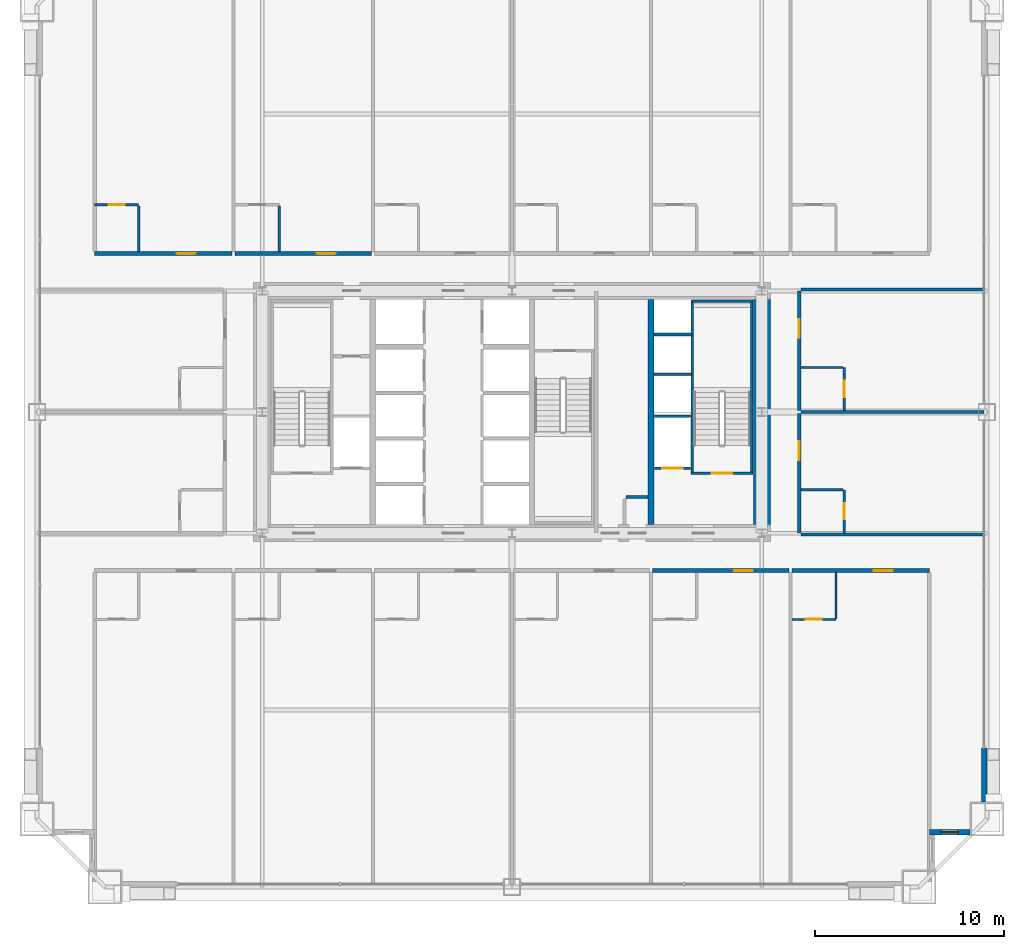
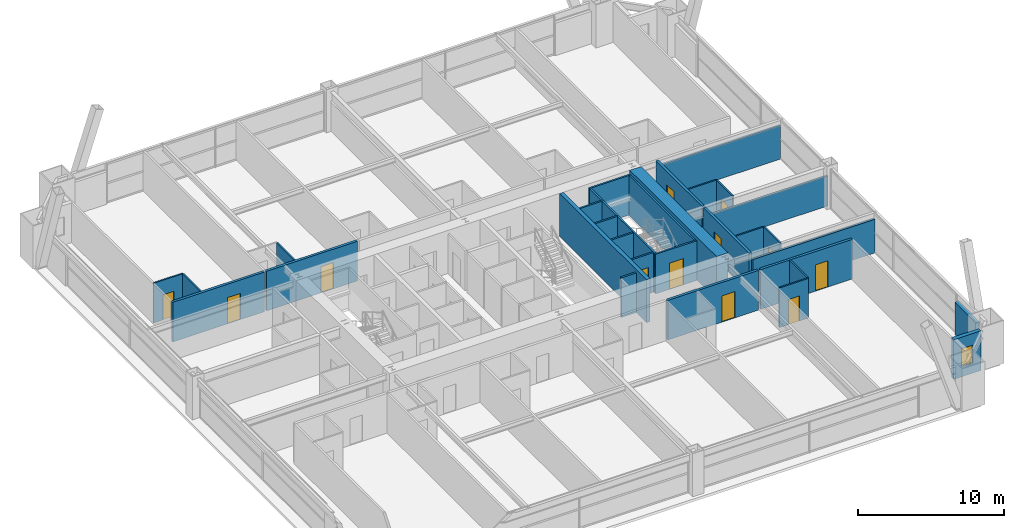
# One storey, part 41 of 43: 31 walls, 12 doors, 1 window, 13 openings.
"""IFC4 building model written with IfcOpenShell, lengths in metres."""

from ifc_helpers import new_model, si_unit, direction, frame, frame_2d, origin, place, context, subcontext, project, spatial, rectangle, extrude, source, transform, mapped, material, layer, layer_set, type_object, element, fill, save


model = new_model("IFC4")

# Units and contexts
model_context = context("Model", 3, precision=1e-05, world=origin(), true_north=direction((0.0, 1.0)))
body_context = subcontext(model_context, "Body", "Model", "MODEL_VIEW")
ifc_project = project(units=[si_unit("LENGTHUNIT", "METRE"), si_unit("AREAUNIT", "SQUARE_METRE"), si_unit("VOLUMEUNIT", "CUBIC_METRE"), si_unit("PLANEANGLEUNIT", "RADIAN"), si_unit("MASSUNIT", "GRAM", prefix="KILO"), si_unit("THERMODYNAMICTEMPERATUREUNIT", "KELVIN"), si_unit("POWERUNIT", "WATT")], contexts=[model_context])

# Site, building, storey
site_placement = place(None, origin())
site = spatial("IfcSite", under=ifc_project, at=site_placement, CompositionType="ELEMENT")
building_placement = place(site_placement, origin())
building = spatial("IfcBuilding", under=site, at=building_placement, Name="Yuzanri Waterfront Tower", CompositionType="ELEMENT")
storey_placement = place(building_placement, frame((0.0, 0.0, 37.800048828125)))
storey = spatial("IfcBuildingStorey", under=building, at=storey_placement, Name="L09", CompositionType="ELEMENT", Elevation=37.800048828125)

# Wall, opening, door
ifc_material_1 = material(Name="Moisture-Resistant Gypsum Stud Wall", Category="gypsum")
ifc_layer_1 = layer(ifc_material_1, 0.1201171875)
ifc_layer_set_1 = layer_set([ifc_layer_1], Name="Moisture-Resistant Gypsum Stud Wall")
wall_type_1 = type_object("IfcWallType", Name="Bathroom and Kitchen Wet Partition 120", PredefinedType="PARTITIONING", material=ifc_layer_set_1)
wall_1_placement = place(storey_placement, frame((51.787109375, 14.840087890625, 0.0), z_axis=(0.0, 0.0, 1.0), x_axis=(1.0, 0.0, 0.0)))
wall_1 = element("IfcWall", 1, at=wall_1_placement, inside=storey, type_object=wall_type_1, Name="L09 Partition UW-L09-S6-BS", PredefinedType="PARTITIONING", context=body_context, shape_type="SweptSolid", body=[
    extrude(rectangle(XDim=2.329833984375, YDim=0.1201171875, at=frame_2d((1.1650390625, 0.0))), origin(), (0.0, 0.0, 1.0), 3.320068359375),
])
opening_1_placement = place(wall_1_placement, frame((0.739990234375, 0.0, 0.0)))
opening_1 = element("IfcOpeningElement", 2, at=opening_1_placement, cuts=wall_1, Name="Opening ID-0850", PredefinedType="OPENING", context=body_context, shape_type="SweptSolid", body=[
    extrude(rectangle(XDim=0.85009765625, YDim=2.10009765625, at=frame_2d((0.425048828125, 1.050048828125))), frame((0.0, 0.074951171875, 0.0), z_axis=(0.0, -1.0, 0.0), x_axis=(1.0, 0.0, 0.0)), (0.0, 0.0, 1.0), 0.14990234375),
])
ifc_material_2 = material(Name="Moisture-Resistant Lacquered Timber", Category="wood")
door_type_1 = type_object("IfcDoorType", Name="En-Suite Bathroom and Kitchen Swing Door 850x2100", OperationType="NOTDEFINED", PredefinedType="DOOR", material=ifc_material_2)
shared_shape_1 = source(origin(), body_context, "Body", "SweptSolid", [
    extrude(rectangle(XDim=0.85009765625, YDim=2.10009765625, at=frame_2d((0.425048828125, 1.050048828125))), frame((0.0, 0.02490234375, 0.0), z_axis=(0.0, -1.0, 0.0), x_axis=(1.0, 0.0, 0.0)), (0.0, 0.0, 1.0), 0.050048828125),
])
door_1_placement = place(opening_1_placement, origin())
door_1 = element("IfcDoor", 3, at=door_1_placement, inside=storey, type_object=door_type_1, Name="L09 Guest En-Suite Door", OperationType="SINGLE_SWING_LEFT", OverallHeight=2.10009765625, OverallWidth=0.85009765625, PredefinedType="DOOR", context=body_context, shape_type="MappedRepresentation", body=[
    mapped(shared_shape_1, transform((0.0, 0.0, 0.0), scale=1.0)),
])
fill(opening_1, door_1)

wall_2_placement = place(storey_placement, frame((14.93994140625, 36.760009765625, 0.0), z_axis=(0.0, 0.0, 1.0), x_axis=(1.0, 0.0, 0.0)))
wall_2 = element("IfcWall", 4, at=wall_2_placement, inside=storey, type_object=wall_type_1, Name="L09 Partition UW-L09-N1-BN", PredefinedType="PARTITIONING", context=body_context, shape_type="SweptSolid", body=[
    extrude(rectangle(XDim=2.330078125, YDim=0.1201171875, at=frame_2d((1.1650390625, 0.0))), origin(), (0.0, 0.0, 1.0), 3.320068359375),
])
opening_2_placement = place(wall_2_placement, frame((0.739990234375, 0.0, 0.0)))
opening_2 = element("IfcOpeningElement", 5, at=opening_2_placement, cuts=wall_2, Name="Opening ID-0850", PredefinedType="OPENING", context=body_context, shape_type="SweptSolid", body=[
    extrude(rectangle(XDim=0.85009765625, YDim=2.10009765625, at=frame_2d((0.425048828125, 1.050048828125))), frame((0.0, 0.074951171875, 0.0), z_axis=(0.0, -1.0, 0.0), x_axis=(1.0, 0.0, 0.0)), (0.0, 0.0, 1.0), 0.14990234375),
])
door_2_placement = place(opening_2_placement, origin())
door_2 = element("IfcDoor", 6, at=door_2_placement, inside=storey, type_object=door_type_1, Name="L09 Guest En-Suite Door", OperationType="SINGLE_SWING_LEFT", OverallHeight=2.10009765625, OverallWidth=0.85009765625, PredefinedType="DOOR", context=body_context, shape_type="MappedRepresentation", body=[
    mapped(shared_shape_1, transform((0.0, 0.0, 0.0), scale=1.0)),
])
fill(opening_2, door_2)

wall_3_placement = place(storey_placement, frame((54.56005859375, 19.409912109375, 0.0), z_axis=(0.0, 0.0, 1.0), x_axis=(0.0, 1.0, 0.0)))
wall_3 = element("IfcWall", 7, at=wall_3_placement, inside=storey, type_object=wall_type_1, Name="L09 Partition UW-L09-E1-BE2", PredefinedType="PARTITIONING", context=body_context, shape_type="SweptSolid", body=[
    extrude(rectangle(XDim=2.280029296875, YDim=0.1201171875, at=frame_2d((1.14013671875, 0.0))), origin(), (0.0, 0.0, 1.0), 3.320068359375),
])
opening_3_placement = place(wall_3_placement, frame((0.715087890625, 0.0, 0.0)))
opening_3 = element("IfcOpeningElement", 8, at=opening_3_placement, cuts=wall_3, Name="Opening ID-0850", PredefinedType="OPENING", context=body_context, shape_type="SweptSolid", body=[
    extrude(rectangle(XDim=0.85009765625, YDim=2.10009765625, at=frame_2d((0.425048828125, 1.050048828125))), frame((0.0, 0.074951171875, 0.0), z_axis=(0.0, -1.0, 0.0), x_axis=(1.0, 0.0, 0.0)), (0.0, 0.0, 1.0), 0.14990234375),
])
door_3_placement = place(opening_3_placement, origin())
door_3 = element("IfcDoor", 9, at=door_3_placement, inside=storey, type_object=door_type_1, Name="L09 Guest En-Suite Door", OperationType="SINGLE_SWING_LEFT", OverallHeight=2.10009765625, OverallWidth=0.85009765625, PredefinedType="DOOR", context=body_context, shape_type="MappedRepresentation", body=[
    mapped(shared_shape_1, transform((0.0, 0.0, 0.0), scale=1.0)),
])
fill(opening_3, door_3)

wall_4_placement = place(storey_placement, frame((54.56005859375, 25.8798828125, 0.0), z_axis=(0.0, 0.0, 1.0), x_axis=(0.0, 1.0, 0.0)))
wall_4 = element("IfcWall", 10, at=wall_4_placement, inside=storey, type_object=wall_type_1, Name="L09 Partition UW-L09-E2-BE2", PredefinedType="PARTITIONING", context=body_context, shape_type="SweptSolid", body=[
    extrude(rectangle(XDim=2.280029296875, YDim=0.1201171875, at=frame_2d((1.14013671875, 0.0))), origin(), (0.0, 0.0, 1.0), 3.320068359375),
])
opening_4_placement = place(wall_4_placement, frame((0.715087890625, 0.0, 0.0)))
opening_4 = element("IfcOpeningElement", 11, at=opening_4_placement, cuts=wall_4, Name="Opening ID-0850", PredefinedType="OPENING", context=body_context, shape_type="SweptSolid", body=[
    extrude(rectangle(XDim=0.85009765625, YDim=2.10009765625, at=frame_2d((0.425048828125, 1.050048828125))), frame((0.0, 0.074951171875, 0.0), z_axis=(0.0, -1.0, 0.0), x_axis=(1.0, 0.0, 0.0)), (0.0, 0.0, 1.0), 0.14990234375),
])
door_4_placement = place(opening_4_placement, origin())
door_4 = element("IfcDoor", 12, at=door_4_placement, inside=storey, type_object=door_type_1, Name="L09 Guest En-Suite Door", OperationType="SINGLE_SWING_LEFT", OverallHeight=2.10009765625, OverallWidth=0.85009765625, PredefinedType="DOOR", context=body_context, shape_type="MappedRepresentation", body=[
    mapped(shared_shape_1, transform((0.0, 0.0, 0.0), scale=1.0)),
])
fill(opening_4, door_4)

# Wall, opening, window
ifc_material_3 = material(Name="Honed Chongqing Dark Basalt Stone", Category="masonry")
ifc_layer_2 = layer(ifc_material_3, 0.300048828125)
ifc_layer_set_2 = layer_set([ifc_layer_2], Name="Honed Chongqing Dark Basalt Stone")
wall_type_2 = type_object("IfcWallType", Name="Bronze Rainscreen Insulated Spandrel Portal Wall 300", PredefinedType="SOLIDWALL", material=ifc_layer_set_2)
wall_5_placement = place(storey_placement, frame((59.050048828125, 3.60009765625, 0.0), z_axis=(0.0, 0.0, 1.0), x_axis=(1.0, 0.0, 0.0)))
wall_5 = element("IfcWall", 13, at=wall_5_placement, inside=storey, type_object=wall_type_2, Name="L09 Notched Corner Masonry Wall SE-X", PredefinedType="SOLIDWALL", context=body_context, shape_type="SweptSolid", body=[
    extrude(rectangle(XDim=2.14990234375, YDim=0.300048828125, at=frame_2d((1.074951171875, 0.0))), origin(), (0.0, 0.0, 1.0), 3.320068359375),
])
opening_5_placement = place(wall_5_placement, frame((0.625, 0.0, 0.85009765625)))
opening_5 = element("IfcOpeningElement", 14, at=opening_5_placement, cuts=wall_5, Name="Opening WN-05", PredefinedType="OPENING", context=body_context, shape_type="SweptSolid", body=[
    extrude(rectangle(XDim=0.89990234375, YDim=1.5, at=frame_2d((0.449951171875, 0.75))), frame((0.0, 0.1650390625, 0.0), z_axis=(0.0, -1.0, 0.0), x_axis=(1.0, 0.0, 0.0)), (0.0, 0.0, 1.0), 0.329833984375),
])
ifc_material_4 = material(Name="Double-Silver Low-E Insulated Glass", Category="glass")
window_type = type_object("IfcWindowType", Name="Anodized Bronze Service and Stairwell Smoke-Vent Window 900x1500", PartitioningType="SINGLE_PANEL", PredefinedType="WINDOW", material=ifc_material_4)
shared_shape_2 = source(origin(), body_context, "Body", "SweptSolid", [
    extrude(rectangle(XDim=0.89990234375, YDim=1.5, at=frame_2d((0.449951171875, 0.75))), frame((0.0, 0.030029296875, 0.0), z_axis=(0.0, -1.0, 0.0), x_axis=(1.0, 0.0, 0.0)), (0.0, 0.0, 1.0), 0.06005859375),
])
window_placement = place(opening_5_placement, origin())
window = element("IfcWindow", 15, at=window_placement, inside=storey, type_object=window_type, Name="L09 Notched Corner Window SE-X", OverallHeight=1.5, OverallWidth=0.89990234375, PartitioningType="SINGLE_PANEL", PredefinedType="WINDOW", context=body_context, shape_type="MappedRepresentation", body=[
    mapped(shared_shape_2, transform((0.0, 0.0, 0.0), scale=1.0)),
])
fill(opening_5, window)

# Wall, opening, door
ifc_material_5 = material(Name="Concrete C40", Category="concrete")
ifc_layer_3 = layer(ifc_material_5, 0.139892578125)
ifc_layer_set_3 = layer_set([ifc_layer_3], Name="Concrete C40")
wall_type_3 = type_object("IfcWallType", Name="Core Stair Liner and Hoistway Shaft Wall 140", PredefinedType="SOLIDWALL", material=ifc_layer_set_3)
wall_6_placement = place(storey_placement, frame((44.52001953125, 22.830078125, 0.0), z_axis=(0.0, 0.0, 1.0), x_axis=(1.0, 0.0, 0.0)))
wall_6 = element("IfcWall", 16, at=wall_6_placement, inside=storey, type_object=wall_type_3, Name="L09 Lift FL-02 Front Shaft Wall", PredefinedType="SOLIDWALL", context=body_context, shape_type="SweptSolid", body=[
    extrude(rectangle(XDim=1.919921875, YDim=0.139892578125, at=frame_2d((0.9599609375, 0.0))), origin(), (0.0, 0.0, 1.0), 3.320068359375),
])
opening_6_placement = place(wall_6_placement, frame((0.409912109375, 0.0, 0.0)))
opening_6 = element("IfcOpeningElement", 17, at=opening_6_placement, cuts=wall_6, Name="Opening LD-FL-02", PredefinedType="OPENING", context=body_context, shape_type="SweptSolid", body=[
    extrude(rectangle(XDim=1.10009765625, YDim=2.199951171875, at=frame_2d((0.550048828125, 1.10009765625))), frame((0.0, 0.0849609375, 0.0), z_axis=(0.0, -1.0, 0.0), x_axis=(1.0, 0.0, 0.0)), (0.0, 0.0, 1.0), 0.169677734375),
])
ifc_material_6 = material(Name="Brushed Bronze and Stainless Steel Cab", Category="steel")
door_type_2 = type_object("IfcDoorType", Name="Center-Parting Bronze Lift Landing Sliding Door 1100x2200", OperationType="NOTDEFINED", PredefinedType="DOOR", material=ifc_material_6)
shared_shape_3 = source(origin(), body_context, "Body", "SweptSolid", [
    extrude(rectangle(XDim=1.10009765625, YDim=2.199951171875, at=frame_2d((0.550048828125, 1.10009765625))), frame((0.0, 0.02490234375, 0.0), z_axis=(0.0, -1.0, 0.0), x_axis=(1.0, 0.0, 0.0)), (0.0, 0.0, 1.0), 0.050048828125),
])
door_5_placement = place(opening_6_placement, origin())
door_5 = element("IfcDoor", 18, at=door_5_placement, inside=storey, type_object=door_type_2, Name="L09 FL-02 Lift Landing Sliding Door", OperationType="SLIDING_TO_RIGHT", OverallHeight=2.199951171875, OverallWidth=1.10009765625, PredefinedType="DOOR", context=body_context, shape_type="MappedRepresentation", body=[
    mapped(shared_shape_3, transform((0.0, 0.0, 0.0), scale=1.0)),
])
fill(opening_6, door_5)

wall_7_placement = place(storey_placement, frame((46.4599609375, 22.570068359375, 0.0), z_axis=(0.0, 0.0, 1.0), x_axis=(1.0, 0.0, 0.0)))
wall_7 = element("IfcWall", 19, at=wall_7_placement, inside=storey, type_object=wall_type_3, Name="L09 Shaft Wall STW-L09-ST-02-S", PredefinedType="SOLIDWALL", context=body_context, shape_type="SweptSolid", body=[
    extrude(rectangle(XDim=3.280029296875, YDim=0.139892578125, at=frame_2d((1.64013671875, 0.0))), origin(), (0.0, 0.0, 1.0), 3.320068359375),
])
opening_7_placement = place(wall_7_placement, frame((1.090087890625, 0.0, 0.0)))
opening_7 = element("IfcOpeningElement", 20, at=opening_7_placement, cuts=wall_7, Name="Opening FD-1100", PredefinedType="OPENING", context=body_context, shape_type="SweptSolid", body=[
    extrude(rectangle(XDim=1.10009765625, YDim=2.199951171875, at=frame_2d((0.550048828125, 1.10009765625))), frame((0.0, 0.0849609375, 0.0), z_axis=(0.0, -1.0, 0.0), x_axis=(1.0, 0.0, 0.0)), (0.0, 0.0, 1.0), 0.169677734375),
])
ifc_material_7 = material(Name="Painted Galvanized Fire Steel", Category="steel")
door_type_3 = type_object("IfcDoorType", Name="Smoke-Proof Stair and Lobby Fire Door 1100x2200", OperationType="NOTDEFINED", PredefinedType="DOOR", material=ifc_material_7)
shared_shape_4 = source(origin(), body_context, "Body", "SweptSolid", [
    extrude(rectangle(XDim=1.10009765625, YDim=2.199951171875, at=frame_2d((0.550048828125, 1.10009765625))), frame((0.0, 0.02490234375, 0.0), z_axis=(0.0, -1.0, 0.0), x_axis=(1.0, 0.0, 0.0)), (0.0, 0.0, 1.0), 0.050048828125),
])
door_6_placement = place(opening_7_placement, origin())
door_6 = element("IfcDoor", 21, at=door_6_placement, inside=storey, type_object=door_type_3, Name="L09 Stair ST-02 Fire Door", OperationType="SINGLE_SWING_LEFT", OverallHeight=2.199951171875, OverallWidth=1.10009765625, PredefinedType="DOOR", context=body_context, shape_type="MappedRepresentation", body=[
    mapped(shared_shape_4, transform((0.0, 0.0, 0.0), scale=1.0)),
])
fill(opening_7, door_6)

ifc_material_8 = material(Name="Autoclaved Aerated Concrete Blockwork", Category="masonry")
ifc_layer_4 = layer(ifc_material_8, 0.199951171875)
ifc_layer_set_4 = layer_set([ifc_layer_4], Name="Autoclaved Aerated Concrete Blockwork")
wall_type_4 = type_object("IfcWallType", Name="Corridor and Unit Party Fire Wall 200", PredefinedType="PARTITIONING", material=ifc_layer_set_4)
wall_8_placement = place(storey_placement, frame((44.43310546875, 17.419921875, 0.0), z_axis=(0.0, 0.0, 1.0), x_axis=(1.0, 0.0, 0.0)))
wall_8 = element("IfcWall", 22, at=wall_8_placement, inside=storey, type_object=wall_type_4, Name="L09 Partition UW-L09-S5-CN", PredefinedType="PARTITIONING", context=body_context, shape_type="SweptSolid", body=[
    extrude(rectangle(XDim=7.19384765625, YDim=0.199951171875, at=frame_2d((3.596923828125, 0.0))), origin(), (0.0, 0.0, 1.0), 3.320068359375),
])
opening_8_placement = place(wall_8_placement, frame((4.302001953125, 0.0, 0.0)))
opening_8 = element("IfcOpeningElement", 23, at=opening_8_placement, cuts=wall_8, Name="Opening FD-1000", PredefinedType="OPENING", context=body_context, shape_type="SweptSolid", body=[
    extrude(rectangle(XDim=1.0, YDim=2.199951171875, at=frame_2d((0.5, 1.10009765625))), frame((0.0, 0.11474609375, 0.0), z_axis=(0.0, -1.0, 0.0), x_axis=(1.0, 0.0, 0.0)), (0.0, 0.0, 1.0), 0.229736328125),
])
ifc_material_9 = material(Name="Engineered Oak Fire-Rated Timber", Category="wood")
door_type_4 = type_object("IfcDoorType", Name="Guestroom and Apartment Entrance Fire Door 1000x2200", OperationType="NOTDEFINED", PredefinedType="DOOR", material=ifc_material_9)
shared_shape_5 = source(origin(), body_context, "Body", "SweptSolid", [
    extrude(rectangle(XDim=1.0, YDim=2.199951171875, at=frame_2d((0.5, 1.10009765625))), frame((0.0, 0.02490234375, 0.0), z_axis=(0.0, -1.0, 0.0), x_axis=(1.0, 0.0, 0.0)), (0.0, 0.0, 1.0), 0.050048828125),
])
door_7_placement = place(opening_8_placement, origin())
door_7 = element("IfcDoor", 24, at=door_7_placement, inside=storey, type_object=door_type_4, Name="L09 Premier King Junior Suite Entrance Door", OperationType="SINGLE_SWING_RIGHT", OverallHeight=2.199951171875, OverallWidth=1.0, PredefinedType="DOOR", context=body_context, shape_type="MappedRepresentation", body=[
    mapped(shared_shape_5, transform((0.0, 0.0, 0.0), scale=1.0)),
])
fill(opening_8, door_7)

wall_9_placement = place(storey_placement, frame((51.787109375, 17.419921875, 0.0), z_axis=(0.0, 0.0, 1.0), x_axis=(1.0, 0.0, 0.0)))
wall_9 = element("IfcWall", 25, at=wall_9_placement, inside=storey, type_object=wall_type_4, Name="L09 Partition UW-L09-S6-CN", PredefinedType="PARTITIONING", context=body_context, shape_type="SweptSolid", body=[
    extrude(rectangle(XDim=7.27294921875, YDim=0.199951171875, at=frame_2d((3.636474609375, 0.0))), origin(), (0.0, 0.0, 1.0), 3.320068359375),
])
opening_9_placement = place(wall_9_placement, frame((4.342041015625, 0.0, 0.0)))
opening_9 = element("IfcOpeningElement", 26, at=opening_9_placement, cuts=wall_9, Name="Opening FD-1000", PredefinedType="OPENING", context=body_context, shape_type="SweptSolid", body=[
    extrude(rectangle(XDim=1.0, YDim=2.199951171875, at=frame_2d((0.5, 1.10009765625))), frame((0.0, 0.11474609375, 0.0), z_axis=(0.0, -1.0, 0.0), x_axis=(1.0, 0.0, 0.0)), (0.0, 0.0, 1.0), 0.229736328125),
])
door_8_placement = place(opening_9_placement, origin())
door_8 = element("IfcDoor", 27, at=door_8_placement, inside=storey, type_object=door_type_4, Name="L09 Premier King Junior Suite Entrance Door", OperationType="SINGLE_SWING_RIGHT", OverallHeight=2.199951171875, OverallWidth=1.0, PredefinedType="DOOR", context=body_context, shape_type="MappedRepresentation", body=[
    mapped(shared_shape_5, transform((0.0, 0.0, 0.0), scale=1.0)),
])
fill(opening_9, door_8)

wall_10_placement = place(storey_placement, frame((14.93994140625, 34.179931640625, 0.0), z_axis=(0.0, 0.0, 1.0), x_axis=(1.0, 0.0, 0.0)))
wall_10 = element("IfcWall", 28, at=wall_10_placement, inside=storey, type_object=wall_type_4, Name="L09 Partition UW-L09-N1-CS", PredefinedType="PARTITIONING", context=body_context, shape_type="SweptSolid", body=[
    extrude(rectangle(XDim=7.27294921875, YDim=0.199951171875, at=frame_2d((3.636474609375, 0.0))), origin(), (0.0, 0.0, 1.0), 3.320068359375),
])
opening_10_placement = place(wall_10_placement, frame((4.342041015625, 0.0, 0.0)))
opening_10 = element("IfcOpeningElement", 29, at=opening_10_placement, cuts=wall_10, Name="Opening FD-1000", PredefinedType="OPENING", context=body_context, shape_type="SweptSolid", body=[
    extrude(rectangle(XDim=1.0, YDim=2.199951171875, at=frame_2d((0.5, 1.10009765625))), frame((0.0, 0.11474609375, 0.0), z_axis=(0.0, -1.0, 0.0), x_axis=(1.0, 0.0, 0.0)), (0.0, 0.0, 1.0), 0.229736328125),
])
door_9_placement = place(opening_10_placement, origin())
door_9 = element("IfcDoor", 30, at=door_9_placement, inside=storey, type_object=door_type_4, Name="L09 Deluxe Cityview Junior Suite Entrance Door", OperationType="SINGLE_SWING_RIGHT", OverallHeight=2.199951171875, OverallWidth=1.0, PredefinedType="DOOR", context=body_context, shape_type="MappedRepresentation", body=[
    mapped(shared_shape_5, transform((0.0, 0.0, 0.0), scale=1.0)),
])
fill(opening_10, door_9)

wall_11_placement = place(storey_placement, frame((22.373046875, 34.179931640625, 0.0), z_axis=(0.0, 0.0, 1.0), x_axis=(1.0, 0.0, 0.0)))
wall_11 = element("IfcWall", 31, at=wall_11_placement, inside=storey, type_object=wall_type_4, Name="L09 Partition UW-L09-N2-CS", PredefinedType="PARTITIONING", context=body_context, shape_type="SweptSolid", body=[
    extrude(rectangle(XDim=7.19384765625, YDim=0.199951171875, at=frame_2d((3.596923828125, 0.0))), origin(), (0.0, 0.0, 1.0), 3.320068359375),
])
opening_11_placement = place(wall_11_placement, frame((4.302001953125, 0.0, 0.0)))
opening_11 = element("IfcOpeningElement", 32, at=opening_11_placement, cuts=wall_11, Name="Opening FD-1000", PredefinedType="OPENING", context=body_context, shape_type="SweptSolid", body=[
    extrude(rectangle(XDim=1.0, YDim=2.199951171875, at=frame_2d((0.5, 1.10009765625))), frame((0.0, 0.11474609375, 0.0), z_axis=(0.0, -1.0, 0.0), x_axis=(1.0, 0.0, 0.0)), (0.0, 0.0, 1.0), 0.229736328125),
])
door_10_placement = place(opening_11_placement, origin())
door_10 = element("IfcDoor", 33, at=door_10_placement, inside=storey, type_object=door_type_4, Name="L09 Deluxe Cityview Junior Suite Entrance Door", OperationType="SINGLE_SWING_RIGHT", OverallHeight=2.199951171875, OverallWidth=1.0, PredefinedType="DOOR", context=body_context, shape_type="MappedRepresentation", body=[
    mapped(shared_shape_5, transform((0.0, 0.0, 0.0), scale=1.0)),
])
fill(opening_11, door_10)

wall_12_placement = place(storey_placement, frame((52.179931640625, 19.409912109375, 0.0), z_axis=(0.0, 0.0, 1.0), x_axis=(0.0, 1.0, 0.0)))
wall_12 = element("IfcWall", 34, at=wall_12_placement, inside=storey, type_object=wall_type_4, Name="L09 Partition UW-L09-E1-CW", PredefinedType="PARTITIONING", context=body_context, shape_type="SweptSolid", body=[
    extrude(rectangle(XDim=6.31005859375, YDim=0.199951171875, at=frame_2d((3.155029296875, 0.0))), origin(), (0.0, 0.0, 1.0), 3.320068359375),
])
opening_12_placement = place(wall_12_placement, frame((3.8349609375, 0.0, 0.0)))
opening_12 = element("IfcOpeningElement", 35, at=opening_12_placement, cuts=wall_12, Name="Opening FD-1000", PredefinedType="OPENING", context=body_context, shape_type="SweptSolid", body=[
    extrude(rectangle(XDim=1.0, YDim=2.199951171875, at=frame_2d((0.5, 1.10009765625))), frame((0.0, 0.11474609375, 0.0), z_axis=(0.0, -1.0, 0.0), x_axis=(1.0, 0.0, 0.0)), (0.0, 0.0, 1.0), 0.229736328125),
])
door_11_placement = place(opening_12_placement, origin())
door_11 = element("IfcDoor", 36, at=door_11_placement, inside=storey, type_object=door_type_4, Name="L09 Confluence Suite Entrance Door", OperationType="SINGLE_SWING_RIGHT", OverallHeight=2.199951171875, OverallWidth=1.0, PredefinedType="DOOR", context=body_context, shape_type="MappedRepresentation", body=[
    mapped(shared_shape_5, transform((0.0, 0.0, 0.0), scale=1.0)),
])
fill(opening_12, door_11)

wall_13_placement = place(storey_placement, frame((52.179931640625, 25.8798828125, 0.0), z_axis=(0.0, 0.0, 1.0), x_axis=(0.0, 1.0, 0.0)))
wall_13 = element("IfcWall", 37, at=wall_13_placement, inside=storey, type_object=wall_type_4, Name="L09 Partition UW-L09-E2-CW", PredefinedType="PARTITIONING", context=body_context, shape_type="SweptSolid", body=[
    extrude(rectangle(XDim=6.31005859375, YDim=0.199951171875, at=frame_2d((3.155029296875, 0.0))), origin(), (0.0, 0.0, 1.0), 3.320068359375),
])
opening_13_placement = place(wall_13_placement, frame((3.8349609375, 0.0, 0.0)))
opening_13 = element("IfcOpeningElement", 38, at=opening_13_placement, cuts=wall_13, Name="Opening FD-1000", PredefinedType="OPENING", context=body_context, shape_type="SweptSolid", body=[
    extrude(rectangle(XDim=1.0, YDim=2.199951171875, at=frame_2d((0.5, 1.10009765625))), frame((0.0, 0.11474609375, 0.0), z_axis=(0.0, -1.0, 0.0), x_axis=(1.0, 0.0, 0.0)), (0.0, 0.0, 1.0), 0.229736328125),
])
door_12_placement = place(opening_13_placement, origin())
door_12 = element("IfcDoor", 39, at=door_12_placement, inside=storey, type_object=door_type_4, Name="L09 Confluence Suite Entrance Door", OperationType="SINGLE_SWING_RIGHT", OverallHeight=2.199951171875, OverallWidth=1.0, PredefinedType="DOOR", context=body_context, shape_type="MappedRepresentation", body=[
    mapped(shared_shape_5, transform((0.0, 0.0, 0.0), scale=1.0)),
])
fill(opening_13, door_12)

# Walls
ifc_material_10 = material(Name="Concrete C60", Category="concrete")
ifc_layer_5 = layer(ifc_material_10, 0.89990234375)
ifc_layer_set_5 = layer_set([ifc_layer_5], Name="Concrete C60")
wall_type_5 = type_object("IfcWallType", Name="Concrete C60 Lower Zone Core Shear Wall 900", PredefinedType="SHEAR", material=ifc_layer_set_5)
shared_shape_6 = source(origin(), body_context, "Body", "SweptSolid", [
    extrude(rectangle(XDim=11.89990234375, YDim=0.89990234375, at=frame_2d((5.949951171875, 0.0))), origin(), (0.0, 0.0, 1.0), 3.599853515625),
])
wall_14_placement = place(storey_placement, frame((50.199951171875, 19.85009765625, 0.0), z_axis=(0.0, 0.0, 1.0), x_axis=(0.0, 1.0, 0.0)))
element("IfcWall", 40, at=wall_14_placement, inside=storey, type_object=wall_type_5, Name="L09 Core East Shear Wall", PredefinedType="SHEAR", context=body_context, shape_type="MappedRepresentation", body=[
    mapped(shared_shape_6, transform((0.0, 0.0, 0.0), scale=1.0)),
])
ifc_material_11 = material(Name="Concrete C50", Category="concrete")
ifc_layer_6 = layer(ifc_material_11, 0.300048828125)
ifc_layer_set_6 = layer_set([ifc_layer_6], Name="Concrete C50")
wall_type_6 = type_object("IfcWallType", Name="Concrete C50 Internal Core Shaft Structural Wall 300", PredefinedType="SOLIDWALL", material=ifc_layer_set_6)
shared_shape_7 = source(origin(), body_context, "Body", "SweptSolid", [
    extrude(rectangle(XDim=11.89990234375, YDim=0.300048828125, at=frame_2d((5.949951171875, 0.0))), origin(), (0.0, 0.0, 1.0), 3.599853515625),
])
wall_15_placement = place(storey_placement, frame((44.35009765625, 19.85009765625, 0.0), z_axis=(0.0, 0.0, 1.0), x_axis=(0.0, 1.0, 0.0)))
element("IfcWall", 41, at=wall_15_placement, inside=storey, type_object=wall_type_6, Name="L09 Core Internal Structural Web Wall 3", PredefinedType="SOLIDWALL", context=body_context, shape_type="MappedRepresentation", body=[
    mapped(shared_shape_7, transform((0.0, 0.0, 0.0), scale=1.0)),
])
shared_shape_8 = source(origin(), body_context, "Body", "SweptSolid", [
    extrude(rectangle(XDim=2.85009765625, YDim=0.300048828125, at=frame_2d((1.425048828125, 0.0))), origin(), (0.0, 0.0, 1.0), 2.71484375),
])
wall_16_placement = place(storey_placement, frame((61.949951171875, 5.199951171875, 0.0), z_axis=(0.0, 0.0, 1.0), x_axis=(0.0, 1.0, 0.0)))
element("IfcWall", 42, at=wall_16_placement, inside=storey, type_object=wall_type_2, Name="L09 E Left Braced Masonry Shoulder", PredefinedType="SOLIDWALL", context=body_context, shape_type="MappedRepresentation", body=[
    mapped(shared_shape_8, transform((0.0, 0.0, 0.0), scale=1.0)),
])
shared_shape_9 = source(origin(), body_context, "Body", "SweptSolid", [
    extrude(rectangle(XDim=1.919921875, YDim=0.139892578125, at=frame_2d((0.9599609375, 0.0))), origin(), (0.0, 0.0, 1.0), 3.320068359375),
])
wall_17_placement = place(storey_placement, frame((44.52001953125, 25.570068359375, 0.0), z_axis=(0.0, 0.0, 1.0), x_axis=(1.0, 0.0, 0.0)))
element("IfcWall", 43, at=wall_17_placement, inside=storey, type_object=wall_type_3, Name="L09 Lift FL-02 Back Shaft Wall", PredefinedType="SOLIDWALL", context=body_context, shape_type="MappedRepresentation", body=[
    mapped(shared_shape_9, transform((0.0, 0.0, 0.0), scale=1.0)),
])
shared_shape_10 = source(origin(), body_context, "Body", "SweptSolid", [
    extrude(rectangle(XDim=2.0, YDim=0.139892578125, at=frame_2d((1.0, 0.0))), origin(), (0.0, 0.0, 1.0), 3.320068359375),
])
for number, where, z_axis, x_axis, name in (
    (44, (44.5, 27.800048828125, 0.0), (0.0, 0.0, 1.0), (1.0, 0.0, 0.0), "L09 Lift PL-09 Divider Wall"),
    (45, (44.5, 29.89990234375, 0.0), (0.0, 0.0, 1.0), (1.0, 0.0, 0.0), "L09 Lift PL-10 Divider Wall"),
):
    element("IfcWall", number, at=place(storey_placement, frame(where, z_axis=z_axis, x_axis=x_axis)), inside=storey, type_object=wall_type_3, Name=name, PredefinedType="SOLIDWALL", context=body_context, shape_type="MappedRepresentation", body=[
        mapped(shared_shape_10, transform((0.0, 0.0, 0.0), scale=1.0)),
    ])
shared_shape_11 = source(origin(), body_context, "Body", "SweptSolid", [
    extrude(rectangle(XDim=3.280029296875, YDim=0.139892578125, at=frame_2d((1.64013671875, 0.0))), origin(), (0.0, 0.0, 1.0), 3.320068359375),
])
wall_18_placement = place(storey_placement, frame((46.4599609375, 31.64990234375, 0.0), z_axis=(0.0, 0.0, 1.0), x_axis=(1.0, 0.0, 0.0)))
element("IfcWall", 46, at=wall_18_placement, inside=storey, type_object=wall_type_3, Name="L09 Stair ST-02 North Shaft Wall", PredefinedType="SOLIDWALL", context=body_context, shape_type="MappedRepresentation", body=[
    mapped(shared_shape_11, transform((0.0, 0.0, 0.0), scale=1.0)),
])
shared_shape_12 = source(origin(), body_context, "Body", "SweptSolid", [
    extrude(rectangle(XDim=8.940185546875, YDim=0.139892578125, at=frame_2d((4.47021484375, 0.0))), origin(), (0.0, 0.0, 1.0), 3.320068359375),
])
for number, where, z_axis, x_axis, name in (
    (47, (46.530029296875, 22.639892578125, 0.0), (0.0, 0.0, 1.0), (0.0, 1.0, 0.0), "L09 Stair ST-02 West Shaft Wall"),
    (48, (49.669921875, 22.639892578125, 0.0), (0.0, 0.0, 1.0), (0.0, 1.0, 0.0), "L09 Stair ST-02 East Shaft Wall"),
):
    element("IfcWall", number, at=place(storey_placement, frame(where, z_axis=z_axis, x_axis=x_axis)), inside=storey, type_object=wall_type_3, Name=name, PredefinedType="SOLIDWALL", context=body_context, shape_type="MappedRepresentation", body=[
        mapped(shared_shape_12, transform((0.0, 0.0, 0.0), scale=1.0)),
    ])
ifc_material_12 = material(Name="Gypsum Fireboard Acoustic Stud Wall", Category="gypsum")
ifc_layer_7 = layer(ifc_material_12, 0.159912109375)
ifc_layer_set_7 = layer_set([ifc_layer_7], Name="Gypsum Fireboard Acoustic Stud Wall")
wall_type_7 = type_object("IfcWallType", Name="Acoustic Suite Demising Partition 160", PredefinedType="PARTITIONING", material=ifc_layer_set_7)
shared_shape_13 = source(origin(), body_context, "Body", "SweptSolid", [
    extrude(rectangle(XDim=1.169921875, YDim=0.159912109375, at=frame_2d((0.5849609375, 0.0))), origin(), (0.0, 0.0, 1.0), 3.320068359375),
])
wall_19_placement = place(storey_placement, frame((43.030029296875, 21.320068359375, 0.0), z_axis=(0.0, 0.0, 1.0), x_axis=(1.0, 0.0, 0.0)))
element("IfcWall", 49, at=wall_19_placement, inside=storey, type_object=wall_type_7, Name="L09 East Wet Riser North Wall", PredefinedType="PARTITIONING", context=body_context, shape_type="MappedRepresentation", body=[
    mapped(shared_shape_13, transform((0.0, 0.0, 0.0), scale=1.0)),
])
shared_shape_14 = source(origin(), body_context, "Body", "SweptSolid", [
    extrude(rectangle(XDim=2.420166015625, YDim=0.1201171875, at=frame_2d((1.2099609375, 0.0))), origin(), (0.0, 0.0, 1.0), 3.320068359375),
])
wall_20_placement = place(storey_placement, frame((54.116943359375, 14.89990234375, 0.0), z_axis=(0.0, 0.0, 1.0), x_axis=(0.0, 1.0, 0.0)))
element("IfcWall", 50, at=wall_20_placement, inside=storey, type_object=wall_type_1, Name="L09-S6 En-Suite Side Wall", PredefinedType="PARTITIONING", context=body_context, shape_type="MappedRepresentation", body=[
    mapped(shared_shape_14, transform((0.0, 0.0, 0.0), scale=1.0)),
])
shared_shape_15 = source(origin(), body_context, "Body", "SweptSolid", [
    extrude(rectangle(XDim=2.419921875, YDim=0.1201171875, at=frame_2d((1.2099609375, 0.0))), origin(), (0.0, 0.0, 1.0), 3.320068359375),
])
for number, where, z_axis, x_axis, name in (
    (51, (17.27001953125, 34.280029296875, 0.0), (0.0, 0.0, 1.0), (0.0, 1.0, 0.0), "L09-N1 En-Suite Side Wall"),
    (52, (24.702880859375, 34.280029296875, 0.0), (0.0, 0.0, 1.0), (0.0, 1.0, 0.0), "L09-N2 En-Suite Side Wall"),
):
    element("IfcWall", number, at=place(storey_placement, frame(where, z_axis=z_axis, x_axis=x_axis)), inside=storey, type_object=wall_type_1, Name=name, PredefinedType="PARTITIONING", context=body_context, shape_type="MappedRepresentation", body=[
        mapped(shared_shape_15, transform((0.0, 0.0, 0.0), scale=1.0)),
    ])
shared_shape_16 = source(origin(), body_context, "Body", "SweptSolid", [
    extrude(rectangle(XDim=9.669921875, YDim=0.159912109375, at=frame_2d((4.8349609375, 0.0))), origin(), (0.0, 0.0, 1.0), 2.514892578125),
])
wall_21_placement = place(storey_placement, frame((52.280029296875, 25.800048828125, 0.0), z_axis=(0.0, 0.0, 1.0), x_axis=(1.0, 0.0, 0.0)))
element("IfcWall", 53, at=wall_21_placement, inside=storey, type_object=wall_type_7, Name="L09-E1 Wing Party Wall", PredefinedType="PARTITIONING", context=body_context, shape_type="MappedRepresentation", body=[
    mapped(shared_shape_16, transform((0.0, 0.0, 0.0), scale=1.0)),
])
shared_shape_17 = source(origin(), body_context, "Body", "SweptSolid", [
    extrude(rectangle(XDim=9.669921875, YDim=0.159912109375, at=frame_2d((4.8349609375, 0.0))), origin(), (0.0, 0.0, 1.0), 2.81494140625),
])
for number, where, z_axis, x_axis, name in (
    (54, (52.280029296875, 19.330078125, 0.0), (0.0, 0.0, 1.0), (1.0, 0.0, 0.0), "L09-E1 Wing South End Wall"),
    (55, (52.280029296875, 32.27001953125, 0.0), (0.0, 0.0, 1.0), (1.0, 0.0, 0.0), "L09-E2 Wing North End Wall"),
):
    element("IfcWall", number, at=place(storey_placement, frame(where, z_axis=z_axis, x_axis=x_axis)), inside=storey, type_object=wall_type_7, Name=name, PredefinedType="PARTITIONING", context=body_context, shape_type="MappedRepresentation", body=[
        mapped(shared_shape_17, transform((0.0, 0.0, 0.0), scale=1.0)),
    ])
shared_shape_18 = source(origin(), body_context, "Body", "SweptSolid", [
    extrude(rectangle(XDim=2.219970703125, YDim=0.1201171875, at=frame_2d((1.10986328125, 0.0))), origin(), (0.0, 0.0, 1.0), 3.320068359375),
])
for number, where, z_axis, x_axis, name in (
    (56, (52.280029296875, 21.68994140625, 0.0), (0.0, 0.0, 1.0), (1.0, 0.0, 0.0), "L09-E1 En-Suite Top Wall"),
    (57, (52.280029296875, 28.159912109375, 0.0), (0.0, 0.0, 1.0), (1.0, 0.0, 0.0), "L09-E2 En-Suite Top Wall"),
):
    element("IfcWall", number, at=place(storey_placement, frame(where, z_axis=z_axis, x_axis=x_axis)), inside=storey, type_object=wall_type_1, Name=name, PredefinedType="PARTITIONING", context=body_context, shape_type="MappedRepresentation", body=[
        mapped(shared_shape_18, transform((0.0, 0.0, 0.0), scale=1.0)),
    ])

save(model, "model.ifc")
